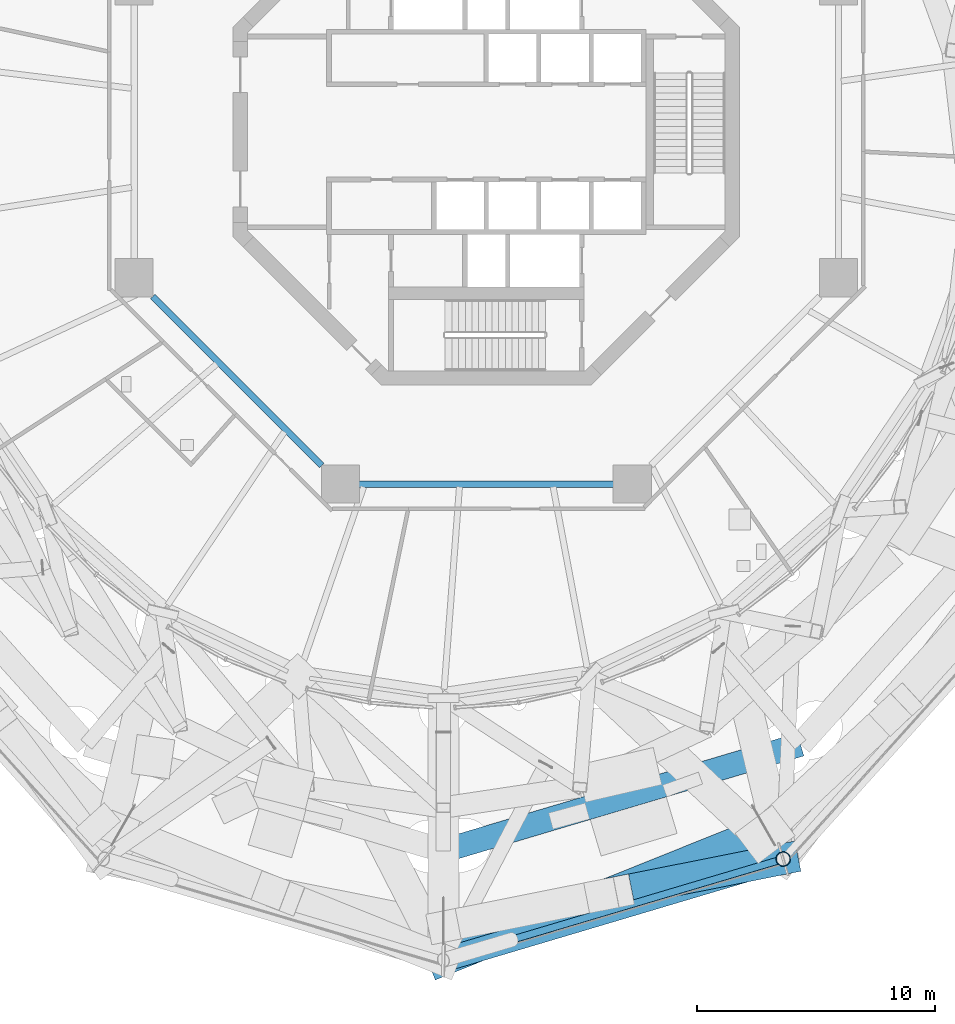
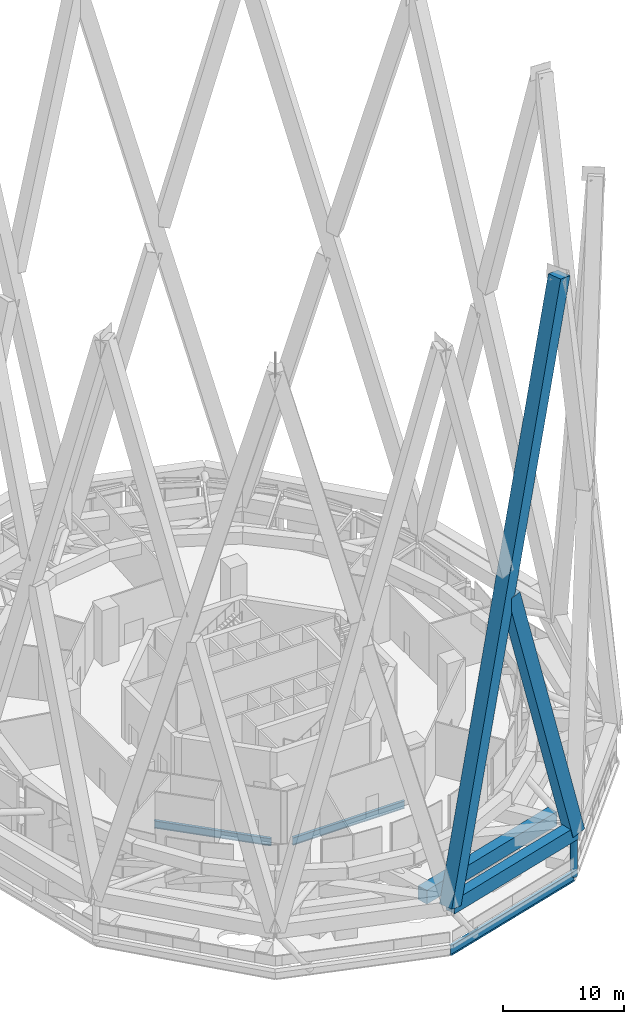
# One storey, part 7 of 48: 5 members, 3 beams.
"""IFC4 building model written with IfcOpenShell, lengths in metres."""

from ifc_helpers import new_model, si_unit, direction, frame, origin, origin_2d, place, context, subcontext, project, spatial, rectangle, hollow_circle, i_section, extrude, material, material_profile, profile_set, type_object, element, save


model = new_model("IFC4")

# Units and contexts
model_context = context("Model", 3, precision=1e-05, world=origin(), true_north=direction((0.0, 1.0)))
body_context = subcontext(model_context, "Body", "Model", "MODEL_VIEW")
ifc_project = project(units=[si_unit("LENGTHUNIT", "METRE"), si_unit("AREAUNIT", "SQUARE_METRE"), si_unit("VOLUMEUNIT", "CUBIC_METRE"), si_unit("PLANEANGLEUNIT", "RADIAN"), si_unit("MASSUNIT", "GRAM", prefix="KILO")], contexts=[model_context])

# Site, building, storey
site_placement = place(None, origin())
site = spatial("IfcSite", under=ifc_project, at=site_placement, CompositionType="ELEMENT")
building_placement = place(site_placement, origin())
building = spatial("IfcBuilding", under=site, at=building_placement, Name="Nagisa Residences", CompositionType="ELEMENT")
storey_placement = place(building_placement, frame((0.0, 0.0, 252.89990234375)))
storey = spatial("IfcBuildingStorey", under=building, at=storey_placement, Name="L64", CompositionType="ELEMENT", Elevation=252.89990234375)

# Members
ifc_material_1 = material(Name="Concrete C80", Category="concrete")
ifc_material_profile_1 = material_profile(ifc_material_1, rectangle(XDim=1.300048828125, YDim=1.300048828125, at=origin_2d()), Name="C80 1300x1300")
ifc_profile_set_1 = profile_set([ifc_material_profile_1], Name="Concrete C80")
member_type_1 = type_object("IfcMemberType", Name="Cage diagonal 6 C80 1300x1300", PredefinedType="BRACE", material=ifc_profile_set_1)
member_1_placement = place(storey_placement, frame((-1.800048828125, -34.7578125, 3.7001953125), z_axis=(0.235873952376, 0.094826068247, 0.967146056897), x_axis=(-0.373005890472, 0.927828974366, 0.0)))
element("IfcMember", 1, at=member_1_placement, inside=storey, type_object=member_type_1, Name="mem:L64:cg6d019", PredefinedType="BRACE", context=body_context, shape_type="SweptSolid", body=[
    extrude(rectangle(XDim=1.300048828125, YDim=1.300048828125, at=origin_2d()), origin(), (0.0, 0.0, 1.0), 57.488525390625),
])
member_2_placement = place(storey_placement, frame((12.4599609375, -30.518798828125, 3.7001953125), z_axis=(-0.248132245686, -0.049397420003, 0.96746590821), x_axis=(0.195245626693, -0.980754375599, 0.0)))
element("IfcMember", 2, at=member_2_placement, inside=storey, type_object=member_type_1, Name="mem:L64:cg6d020a", PredefinedType="BRACE", context=body_context, shape_type="SweptSolid", body=[
    extrude(rectangle(XDim=1.300048828125, YDim=1.300048828125, at=origin_2d()), origin(), (0.0, 0.0, 1.0), 28.141845703125),
])
ifc_material_2 = material(Name="Concrete C80", Category="concrete")
ifc_material_profile_2 = material_profile(ifc_material_2, rectangle(XDim=1.0, YDim=1.39990234375, at=origin_2d()), Name="C80 1000x1400")
ifc_profile_set_2 = profile_set([ifc_material_profile_2], Name="Concrete C80")
member_type_2 = type_object("IfcMemberType", Name="Cage ring 5 C80 1000x1400", PredefinedType="CHORD", material=ifc_profile_set_2)
member_3_placement = place(storey_placement, frame((-1.800048828125, -30.17236328125, 1.900146484375), z_axis=(0.958450197919, 0.285259913253, 0.0), x_axis=(-0.285259913253, 0.958450197919, 0.0)))
element("IfcMember", 3, at=member_3_placement, inside=storey, type_object=member_type_2, Name="beam:L64:cg5r110", PredefinedType="CHORD", context=body_context, shape_type="SweptSolid", body=[
    extrude(rectangle(XDim=1.0, YDim=1.39990234375, at=origin_2d()), origin(), (0.0, 0.0, 1.0), 15.634765625),
])
ifc_material_3 = material(Name="Concrete C80", Category="concrete")
ifc_material_profile_3 = material_profile(ifc_material_3, rectangle(XDim=1.0, YDim=1.39990234375, at=origin_2d()), Name="C80 1000x1400")
ifc_profile_set_3 = profile_set([ifc_material_profile_3], Name="Concrete C80")
member_type_3 = type_object("IfcMemberType", Name="Cage ring 6 C80 1000x1400", PredefinedType="CHORD", material=ifc_profile_set_3)
member_4_placement = place(storey_placement, frame((-1.800048828125, -34.7578125, 3.7001953125), z_axis=(0.958544594373, 0.284942556663, 0.0), x_axis=(-0.284942556663, 0.958544594373, 0.0)))
element("IfcMember", 4, at=member_4_placement, inside=storey, type_object=member_type_3, Name="beam:L64:cg6r010", PredefinedType="CHORD", context=body_context, shape_type="SweptSolid", body=[
    extrude(rectangle(XDim=1.0, YDim=1.39990234375, at=origin_2d()), origin(), (0.0, 0.0, 1.0), 14.876708984375),
])

# Beam
ifc_material_4 = material(Name="Steel ASTM A572 Gr 50", Category="steel")
ifc_material_profile_4 = material_profile(ifc_material_4, i_section(OverallWidth=0.300048828125, OverallDepth=0.97998046875, WebThickness=0.0166015625, FlangeThickness=0.02587890625, at=origin_2d()), Name="W1000x249")
ifc_profile_set_4 = profile_set([ifc_material_profile_4], Name="Steel ASTM A572 Gr 50")
beam_type_1 = type_object("IfcBeamType", Name="Deck edge beam W1000x249", PredefinedType="BEAM", material=ifc_profile_set_4)
beam_1_placement = place(storey_placement, frame((-1.800048828125, -34.7578125, -0.889892578125), z_axis=(0.958544594373, 0.284942556663, 0.0), x_axis=(-0.284942556663, 0.958544594373, 0.0)))
element("IfcBeam", 5, at=beam_1_placement, inside=storey, type_object=beam_type_1, Name="beam:L64:deckedge08", PredefinedType="BEAM", context=body_context, shape_type="SweptSolid", body=[
    extrude(i_section(OverallWidth=0.300048828125, OverallDepth=0.97998046875, WebThickness=0.0166015625, FlangeThickness=0.02587890625, at=origin_2d()), origin(), (0.0, 0.0, 1.0), 14.876708984375),
])

# Member
ifc_material_5 = material(Name="Steel ASTM A572 Gr 65", Category="steel")
ifc_material_profile_5 = material_profile(ifc_material_5, hollow_circle(Radius=0.304931640625, WallThickness=0.02490234375, at=origin_2d()), Name="CHS 610x25")
ifc_profile_set_5 = profile_set([ifc_material_profile_5], Name="Steel ASTM A572 Gr 65")
member_type_4 = type_object("IfcMemberType", Name="Deck hanger CHS 610x25", PredefinedType="POST", material=ifc_profile_set_5)
member_5_placement = place(storey_placement, frame((12.4599609375, -30.518798828125, 3.0), z_axis=(0.0, 0.0, -1.0), x_axis=(1.0, 0.0, 0.0)))
element("IfcMember", 6, at=member_5_placement, inside=storey, type_object=member_type_4, Name="mem:L64:deckhanger08", PredefinedType="POST", context=body_context, shape_type="SweptSolid", body=[
    extrude(hollow_circle(Radius=0.304931640625, WallThickness=0.02490234375, at=origin_2d()), origin(), (0.0, 0.0, 1.0), 3.889892578125),
])

# Beams
ifc_material_6 = material(Name="Steel ASTM A572 Gr 50", Category="steel")
ifc_material_profile_6 = material_profile(ifc_material_6, i_section(OverallWidth=0.264892578125, OverallDepth=0.7529296875, WebThickness=0.01318359375, FlangeThickness=0.01708984375, at=origin_2d()), Name="W760x147")
ifc_profile_set_6 = profile_set([ifc_material_profile_6], Name="Steel ASTM A572 Gr 50")
beam_type_2 = type_object("IfcBeamType", Name="Inner ring beam W760x147", PredefinedType="BEAM", material=ifc_profile_set_6)
beam_2_placement = place(storey_placement, frame((-13.99609375, -6.90869140625, -0.726318359375), z_axis=(0.707106781187, -0.707106781187, 0.0), x_axis=(0.707106781187, 0.707106781187, 0.0)))
element("IfcBeam", 7, at=beam_2_placement, inside=storey, type_object=beam_type_2, Name="beam:L64:ib5", PredefinedType="BEAM", context=body_context, shape_type="SweptSolid", body=[
    extrude(i_section(OverallWidth=0.264892578125, OverallDepth=0.7529296875, WebThickness=0.01318359375, FlangeThickness=0.01708984375, at=origin_2d()), origin(), (0.0, 0.0, 1.0), 10.023193359375),
])
beam_3_placement = place(storey_placement, frame((-5.343017578125, -14.781982421875, -0.726318359375), z_axis=(1.0, 0.0, 0.0), x_axis=(0.0, 1.0, 0.0)))
element("IfcBeam", 8, at=beam_3_placement, inside=storey, type_object=beam_type_2, Name="beam:L64:ib6", PredefinedType="BEAM", context=body_context, shape_type="SweptSolid", body=[
    extrude(i_section(OverallWidth=0.264892578125, OverallDepth=0.7529296875, WebThickness=0.01318359375, FlangeThickness=0.01708984375, at=origin_2d()), origin(), (0.0, 0.0, 1.0), 10.68603515625),
])

save(model, "model.ifc")
